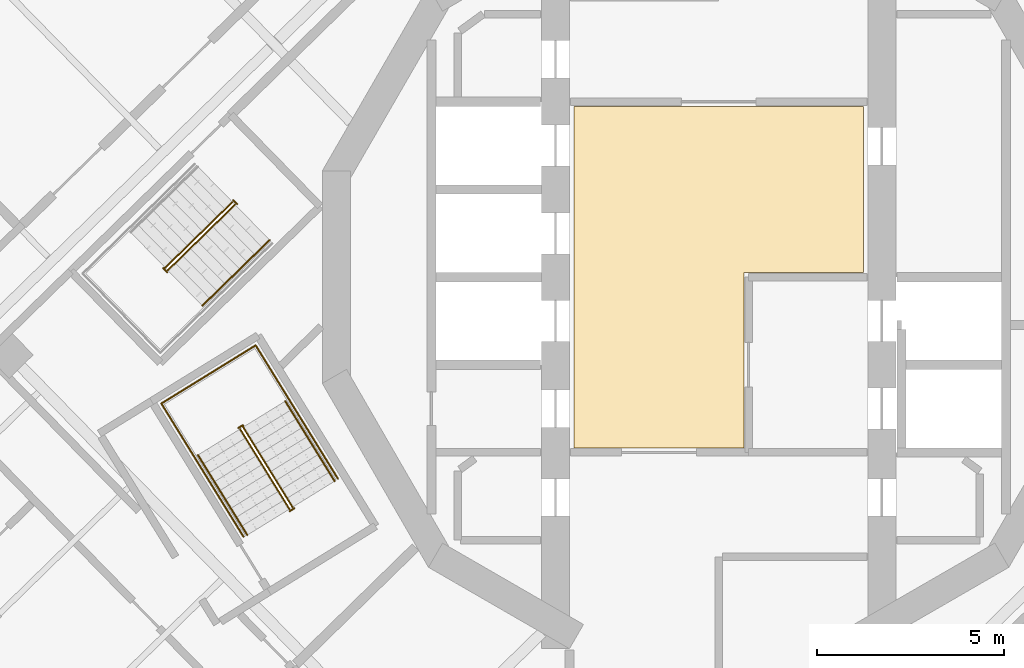
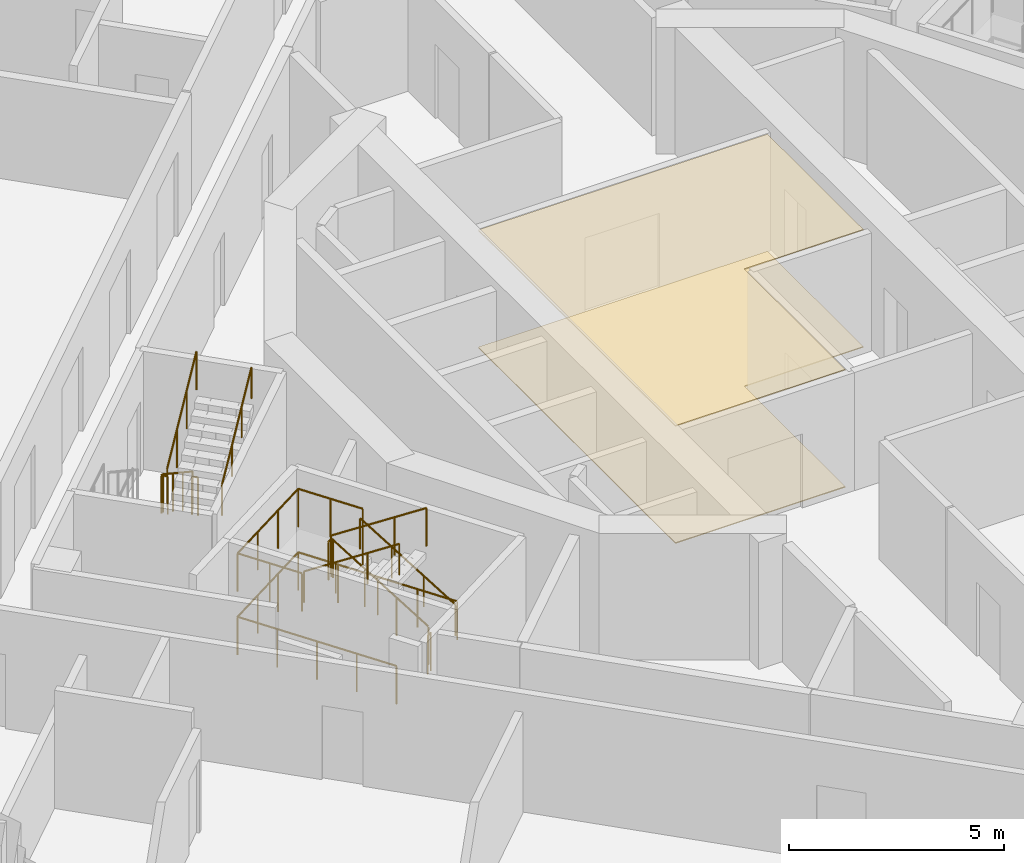
# One storey, part 13 of 17: 11 railings, 2 coverings.
"""IFC4 building model written with IfcOpenShell, lengths in metres."""

from ifc_helpers import new_model, si_unit, direction, frame, origin, origin_2d, place, context, subcontext, project, spatial, polyline, circle, outline, extrude, material, layer, layer_set, type_object, element, save


model = new_model("IFC4")

# Units and contexts
model_context = context("Model", 3, precision=1e-05, world=origin(), true_north=direction((0.0, 1.0)))
body_context = subcontext(model_context, "Body", "Model", "MODEL_VIEW")
ifc_project = project(units=[si_unit("LENGTHUNIT", "METRE"), si_unit("AREAUNIT", "SQUARE_METRE"), si_unit("VOLUMEUNIT", "CUBIC_METRE"), si_unit("PLANEANGLEUNIT", "RADIAN"), si_unit("MASSUNIT", "GRAM", prefix="KILO")], contexts=[model_context])

# Site, building, storey
site_placement = place(None, origin())
site = spatial("IfcSite", under=ifc_project, at=site_placement, CompositionType="ELEMENT")
building_placement = place(site_placement, origin())
building = spatial("IfcBuilding", under=site, at=building_placement, Name="Cantera Rosa Tower", CompositionType="ELEMENT")
storey_placement = place(building_placement, frame((0.0, 0.0, 227.0)))
storey = spatial("IfcBuildingStorey", under=building, at=storey_placement, Name="L49", CompositionType="ELEMENT", Elevation=227.0)

# Railings
ifc_material_1 = material(Name="Steel S355J2 (EN 10025-2)", Category="steel")
railing_type_1 = type_object("IfcRailingType", Name="STAIR GUARD 1100", PredefinedType="GUARDRAIL", material=ifc_material_1)
railing_1_placement = place(storey_placement, frame((-13.032958984375, 2.013427734375, 0.179931640625)))
element("IfcRailing", 1, at=railing_1_placement, inside=storey, type_object=railing_type_1, Name="L49 ST-43 stair guard 1", PredefinedType="GUARDRAIL", context=body_context, shape_type="SweptSolid", body=[
    extrude(circle(Radius=0.02392578125, at=origin_2d()), frame((0.0, 0.0, 1.076171875), z_axis=(-0.601672219931, -0.587818193466, 0.54079599776), x_axis=(0.698823692472, -0.715293958342, 0.0)), (0.0, 0.0, 1.0), 2.995849609375),
    extrude(circle(Radius=0.02392578125, at=origin_2d()), frame((-1.802490234375, -1.760986328125, 2.6962890625), z_axis=(-0.956987977523, -0.290127576896, 0.0), x_axis=(0.290127576896, -0.956987977523, 0.0)), (0.0, 0.0, 1.0), 0.056396484375),
    extrude(circle(Radius=0.02392578125, at=origin_2d()), frame((-1.8564453125, -1.77734375, 2.6962890625), z_axis=(0.698932947801, -0.715187202401, 0.0), x_axis=(0.715187202401, 0.698932947801, 0.0)), (0.0, 0.0, 1.0), 0.150146484375),
    extrude(circle(Radius=0.02099609375, at=origin_2d()), origin(), (0.0, 0.0, 1.0), 1.052001953125),
    extrude(circle(Radius=0.02099609375, at=origin_2d()), frame((-0.600830078125, -0.5869140625, 0.5400390625)), (0.0, 0.0, 1.0), 1.052001953125),
    extrude(circle(Radius=0.02099609375, at=origin_2d()), frame((-1.20166015625, -1.174072265625, 1.080078125)), (0.0, 0.0, 1.0), 1.052001953125),
    extrude(circle(Radius=0.02099609375, at=origin_2d()), frame((-1.802490234375, -1.760986328125, 1.6201171875)), (0.0, 0.0, 1.0), 1.052001953125),
    extrude(circle(Radius=0.02099609375, at=origin_2d()), frame((-1.8564453125, -1.77734375, 1.6201171875)), (0.0, 0.0, 1.0), 1.052001953125),
    extrude(circle(Radius=0.02099609375, at=origin_2d()), frame((-1.75146484375, -1.884765625, 1.6201171875)), (0.0, 0.0, 1.0), 1.052001953125),
])
railing_2_placement = place(storey_placement, frame((-14.766845703125, 0.182373046875, 1.97998046875)))
element("IfcRailing", 2, at=railing_2_placement, inside=storey, type_object=railing_type_1, Name="L49 ST-43 stair guard 2", PredefinedType="GUARDRAIL", context=body_context, shape_type="SweptSolid", body=[
    extrude(circle(Radius=0.02392578125, at=origin_2d()), frame((0.0, 0.0, 1.076171875), z_axis=(0.601672219931, 0.587818193466, 0.54079599776), x_axis=(-0.698823692472, 0.715293958342, 0.0)), (0.0, 0.0, 1.0), 2.995849609375),
    extrude(circle(Radius=0.02099609375, at=origin_2d()), origin(), (0.0, 0.0, 1.0), 1.052001953125),
    extrude(circle(Radius=0.02099609375, at=origin_2d()), frame((0.600830078125, 0.5869140625, 0.5400390625)), (0.0, 0.0, 1.0), 1.052001953125),
    extrude(circle(Radius=0.02099609375, at=origin_2d()), frame((1.20166015625, 1.174072265625, 1.080078125)), (0.0, 0.0, 1.0), 1.052001953125),
    extrude(circle(Radius=0.02099609375, at=origin_2d()), frame((1.802490234375, 1.760986328125, 1.6201171875)), (0.0, 0.0, 1.0), 1.052001953125),
])
railing_3_placement = place(storey_placement, frame((-13.01513671875, 2.06689453125, 0.0)))
element("IfcRailing", 3, at=railing_3_placement, inside=storey, type_object=railing_type_1, Name="L49 ST-43 stair guard 3", PredefinedType="GUARDRAIL", context=body_context, shape_type="SweptSolid", body=[
    extrude(circle(Radius=0.02392578125, at=origin_2d()), frame((0.0, 0.0, 1.076171875), z_axis=(0.698914008722, -0.715205710557, 0.0), x_axis=(0.715205710557, 0.698914008722, 0.0)), (0.0, 0.0, 1.0), 0.14990234375),
    extrude(circle(Radius=0.02099609375, at=origin_2d()), origin(), (0.0, 0.0, 1.0), 1.052001953125),
    extrude(circle(Radius=0.02099609375, at=origin_2d()), frame((0.104736328125, -0.107177734375, 0.0)), (0.0, 0.0, 1.0), 1.052001953125),
])
railing_4_placement = place(storey_placement, frame((-11.42333984375, -6.165771484375, 0.179931640625)))
element("IfcRailing", 4, at=railing_4_placement, inside=storey, type_object=railing_type_1, Name="L49 ST-44 stair guard 1", PredefinedType="GUARDRAIL", context=body_context, shape_type="SweptSolid", body=[
    extrude(circle(Radius=0.02392578125, at=origin_2d()), frame((0.0, 0.0, 1.076171875), z_axis=(-0.441609067481, 0.715913574058, 0.540785711718), x_axis=(-0.851102330005, -0.524999832248, 0.0)), (0.0, 0.0, 1.0), 2.995849609375),
    extrude(circle(Radius=0.02392578125, at=origin_2d()), frame((-1.322998046875, 2.144775390625, 2.6962890625), z_axis=(-0.073711968402, 0.997279572494, 0.0), x_axis=(-0.997279572494, -0.073711968402, 0.0)), (0.0, 0.0, 1.0), 0.056396484375),
    extrude(circle(Radius=0.02392578125, at=origin_2d()), frame((-1.3271484375, 2.200927734375, 2.6962890625), z_axis=(-0.851546489876, -0.524279100842, 0.0), x_axis=(0.524279100842, -0.851546489876, 0.0)), (0.0, 0.0, 1.0), 0.14990234375),
    extrude(circle(Radius=0.02099609375, at=origin_2d()), origin(), (0.0, 0.0, 1.0), 1.052001953125),
    extrude(circle(Radius=0.02099609375, at=origin_2d()), frame((-0.44091796875, 0.71484375, 0.5400390625)), (0.0, 0.0, 1.0), 1.052001953125),
    extrude(circle(Radius=0.02099609375, at=origin_2d()), frame((-0.882080078125, 1.429931640625, 1.080078125)), (0.0, 0.0, 1.0), 1.052001953125),
    extrude(circle(Radius=0.02099609375, at=origin_2d()), frame((-1.322998046875, 2.144775390625, 1.6201171875)), (0.0, 0.0, 1.0), 1.052001953125),
    extrude(circle(Radius=0.02099609375, at=origin_2d()), frame((-1.3271484375, 2.200927734375, 1.6201171875)), (0.0, 0.0, 1.0), 1.052001953125),
    extrude(circle(Radius=0.02099609375, at=origin_2d()), frame((-1.454833984375, 2.122314453125, 1.6201171875)), (0.0, 0.0, 1.0), 1.052001953125),
])
railing_5_placement = place(storey_placement, frame((-12.82958984375, -4.072509765625, 1.97998046875)))
element("IfcRailing", 5, at=railing_5_placement, inside=storey, type_object=railing_type_1, Name="L49 ST-44 stair guard 2", PredefinedType="GUARDRAIL", context=body_context, shape_type="SweptSolid", body=[
    extrude(circle(Radius=0.02392578125, at=origin_2d()), frame((0.0, 0.0, 1.076171875), z_axis=(0.44154346381, -0.715939337315, 0.540805172729), x_axis=(0.851145618652, 0.524929648476, 0.0)), (0.0, 0.0, 1.0), 2.995849609375),
    extrude(circle(Radius=0.02099609375, at=origin_2d()), origin(), (0.0, 0.0, 1.0), 1.052001953125),
    extrude(circle(Radius=0.02099609375, at=origin_2d()), frame((0.44091796875, -0.71484375, 0.5400390625)), (0.0, 0.0, 1.0), 1.052001953125),
    extrude(circle(Radius=0.02099609375, at=origin_2d()), frame((0.8818359375, -1.429931640625, 1.080078125)), (0.0, 0.0, 1.0), 1.052001953125),
    extrude(circle(Radius=0.02099609375, at=origin_2d()), frame((1.32275390625, -2.144775390625, 1.6201171875)), (0.0, 0.0, 1.0), 1.052001953125),
])
railing_6_placement = place(storey_placement, frame((-11.375, -6.19482421875, 0.0)))
element("IfcRailing", 6, at=railing_6_placement, inside=storey, type_object=railing_type_1, Name="L49 ST-44 stair guard 3", PredefinedType="GUARDRAIL", context=body_context, shape_type="SweptSolid", body=[
    extrude(circle(Radius=0.02392578125, at=origin_2d()), frame((0.0, 0.0, 1.076171875), z_axis=(-0.851546489876, -0.524279100842, 0.0), x_axis=(0.524279100842, -0.851546489876, 0.0)), (0.0, 0.0, 1.0), 0.14990234375),
    extrude(circle(Radius=0.02099609375, at=origin_2d()), origin(), (0.0, 0.0, 1.0), 1.052001953125),
    extrude(circle(Radius=0.02099609375, at=origin_2d()), frame((-0.127685546875, -0.07861328125, 0.0)), (0.0, 0.0, 1.0), 1.052001953125),
])
railing_7_placement = place(storey_placement, frame((-10.20751953125, -5.40185546875, 0.0)))
element("IfcRailing", 7, at=railing_7_placement, inside=storey, type_object=railing_type_1, Name="L49 ST-44 stair guard 4", PredefinedType="GUARDRAIL", context=body_context, shape_type="SweptSolid", body=[
    extrude(circle(Radius=0.02392578125, at=origin_2d()), frame((0.0, 0.0, 1.076171875), z_axis=(-0.524976478809, 0.851116735059, 0.0), x_axis=(-0.851116735059, -0.524976478809, 0.0)), (0.0, 0.0, 1.0), 4.197998046875),
    extrude(circle(Radius=0.02392578125, at=origin_2d()), frame((-2.203857421875, 3.572998046875, 1.076171875), z_axis=(-0.851132917336, -0.524950242429, 0.0), x_axis=(0.524950242429, -0.851132917336, 0.0)), (0.0, 0.0, 1.0), 2.969970703125),
    extrude(circle(Radius=0.02392578125, at=origin_2d()), frame((-4.731689453125, 2.013916015625, 1.076171875), z_axis=(0.524976478809, -0.851116735059, 0.0), x_axis=(0.851116735059, 0.524976478809, 0.0)), (0.0, 0.0, 1.0), 4.197998046875),
    extrude(circle(Radius=0.02099609375, at=origin_2d()), origin(), (0.0, 0.0, 1.0), 1.052001953125),
    extrude(circle(Radius=0.02099609375, at=origin_2d()), frame((-0.551025390625, 0.893310546875, 0.0)), (0.0, 0.0, 1.0), 1.052001953125),
    extrude(circle(Radius=0.02099609375, at=origin_2d()), frame((-1.10205078125, 1.78662109375, 0.0)), (0.0, 0.0, 1.0), 1.052001953125),
    extrude(circle(Radius=0.02099609375, at=origin_2d()), frame((-1.65283203125, 2.6796875, 0.0)), (0.0, 0.0, 1.0), 1.052001953125),
    extrude(circle(Radius=0.02099609375, at=origin_2d()), frame((-2.203857421875, 3.572998046875, 0.0)), (0.0, 0.0, 1.0), 1.052001953125),
    extrude(circle(Radius=0.02099609375, at=origin_2d()), frame((-3.04638671875, 3.05322265625, 0.0)), (0.0, 0.0, 1.0), 1.052001953125),
    extrude(circle(Radius=0.02099609375, at=origin_2d()), frame((-3.88916015625, 2.53369140625, 0.0)), (0.0, 0.0, 1.0), 1.052001953125),
    extrude(circle(Radius=0.02099609375, at=origin_2d()), frame((-4.731689453125, 2.013916015625, 0.0)), (0.0, 0.0, 1.0), 1.052001953125),
    extrude(circle(Radius=0.02099609375, at=origin_2d()), frame((-4.1806640625, 1.12060546875, 0.0)), (0.0, 0.0, 1.0), 1.052001953125),
    extrude(circle(Radius=0.02099609375, at=origin_2d()), frame((-3.6298828125, 0.2275390625, 0.0)), (0.0, 0.0, 1.0), 1.052001953125),
    extrude(circle(Radius=0.02099609375, at=origin_2d()), frame((-3.078857421875, -0.665771484375, 0.0)), (0.0, 0.0, 1.0), 1.052001953125),
    extrude(circle(Radius=0.02099609375, at=origin_2d()), frame((-2.52783203125, -1.55908203125, 0.0)), (0.0, 0.0, 1.0), 1.052001953125),
])
railing_8_placement = place(storey_placement, frame((-11.517822265625, -3.27734375, 1.800048828125)))
element("IfcRailing", 8, at=railing_8_placement, inside=storey, type_object=railing_type_1, Name="L49 ST-44 stair guard 5", PredefinedType="GUARDRAIL", context=body_context, shape_type="SweptSolid", body=[
    extrude(circle(Radius=0.02392578125, at=origin_2d()), frame((0.0, 0.0, 1.076171875), z_axis=(-0.525025534833, 0.851086474909, 0.0), x_axis=(-0.851086474909, -0.525025534833, 0.0)), (0.0, 0.0, 1.0), 1.701904296875),
    extrude(circle(Radius=0.02392578125, at=origin_2d()), frame((-0.8935546875, 1.448486328125, 1.076171875), z_axis=(-0.851132917336, -0.524950242429, 0.0), x_axis=(0.524950242429, -0.851132917336, 0.0)), (0.0, 0.0, 1.0), 2.969970703125),
    extrude(circle(Radius=0.02392578125, at=origin_2d()), frame((-3.42138671875, -0.110595703125, 1.076171875), z_axis=(0.524961441845, -0.851126009811, 0.0), x_axis=(0.851126009811, 0.524961441845, 0.0)), (0.0, 0.0, 1.0), 1.7021484375),
    extrude(circle(Radius=0.02099609375, at=origin_2d()), origin(), (0.0, 0.0, 1.0), 1.052001953125),
    extrude(circle(Radius=0.02099609375, at=origin_2d()), frame((-0.44677734375, 0.72412109375, 0.0)), (0.0, 0.0, 1.0), 1.052001953125),
    extrude(circle(Radius=0.02099609375, at=origin_2d()), frame((-0.8935546875, 1.448486328125, 0.0)), (0.0, 0.0, 1.0), 1.052001953125),
    extrude(circle(Radius=0.02099609375, at=origin_2d()), frame((-1.736083984375, 0.9287109375, 0.0)), (0.0, 0.0, 1.0), 1.052001953125),
    extrude(circle(Radius=0.02099609375, at=origin_2d()), frame((-2.578857421875, 0.4091796875, 0.0)), (0.0, 0.0, 1.0), 1.052001953125),
    extrude(circle(Radius=0.02099609375, at=origin_2d()), frame((-3.42138671875, -0.110595703125, 0.0)), (0.0, 0.0, 1.0), 1.052001953125),
    extrude(circle(Radius=0.02099609375, at=origin_2d()), frame((-2.974609375, -0.8349609375, 0.0)), (0.0, 0.0, 1.0), 1.052001953125),
    extrude(circle(Radius=0.02099609375, at=origin_2d()), frame((-2.52783203125, -1.559326171875, 0.0)), (0.0, 0.0, 1.0), 1.052001953125),
])
ifc_material_2 = material(Name="Steel S355J2 (EN 10025-2)", Category="steel")
railing_type_2 = type_object("IfcRailingType", Name="STAIR HANDRAIL 900", PredefinedType="HANDRAIL", material=ifc_material_2)
railing_9_placement = place(storey_placement, frame((-13.84033203125, -0.76611328125, 1.97998046875)))
element("IfcRailing", 9, at=railing_9_placement, inside=storey, type_object=railing_type_2, Name="L49 ST-43 stair handrail 2", PredefinedType="HANDRAIL", context=body_context, shape_type="SweptSolid", body=[
    extrude(circle(Radius=0.02392578125, at=origin_2d()), frame((0.0, 0.0, 0.8759765625), z_axis=(0.601724208683, 0.587789371239, 0.540769481151), x_axis=(-0.698775265409, 0.715341267126, 0.0)), (0.0, 0.0, 1.0), 2.995849609375),
    extrude(circle(Radius=0.02099609375, at=origin_2d()), origin(), (0.0, 0.0, 1.0), 0.851806640625),
    extrude(circle(Radius=0.02099609375, at=origin_2d()), frame((0.600830078125, 0.5869140625, 0.5400390625)), (0.0, 0.0, 1.0), 0.851806640625),
    extrude(circle(Radius=0.02099609375, at=origin_2d()), frame((1.201904296875, 1.174072265625, 1.080078125)), (0.0, 0.0, 1.0), 0.851806640625),
    extrude(circle(Radius=0.02099609375, at=origin_2d()), frame((1.802734375, 1.760986328125, 1.6201171875)), (0.0, 0.0, 1.0), 0.851806640625),
])
railing_10_placement = place(storey_placement, frame((-10.294677734375, -5.4697265625, 0.179931640625)))
element("IfcRailing", 10, at=railing_10_placement, inside=storey, type_object=railing_type_2, Name="L49 ST-44 stair handrail 1", PredefinedType="HANDRAIL", context=body_context, shape_type="SweptSolid", body=[
    extrude(circle(Radius=0.02392578125, at=origin_2d()), frame((0.0, 0.0, 0.8759765625), z_axis=(-0.441609067481, 0.715913574058, 0.540785711718), x_axis=(-0.851102330005, -0.524999832248, 0.0)), (0.0, 0.0, 1.0), 2.995849609375),
    extrude(circle(Radius=0.02099609375, at=origin_2d()), origin(), (0.0, 0.0, 1.0), 0.851806640625),
    extrude(circle(Radius=0.02099609375, at=origin_2d()), frame((-0.44091796875, 0.71484375, 0.5400390625)), (0.0, 0.0, 1.0), 0.851806640625),
    extrude(circle(Radius=0.02099609375, at=origin_2d()), frame((-0.882080078125, 1.429931640625, 1.080078125)), (0.0, 0.0, 1.0), 0.851806640625),
    extrude(circle(Radius=0.02099609375, at=origin_2d()), frame((-1.322998046875, 2.144775390625, 1.6201171875)), (0.0, 0.0, 1.0), 0.851806640625),
])
railing_11_placement = place(storey_placement, frame((-13.958251953125, -4.7685546875, 1.97998046875)))
element("IfcRailing", 11, at=railing_11_placement, inside=storey, type_object=railing_type_2, Name="L49 ST-44 stair handrail 2", PredefinedType="HANDRAIL", context=body_context, shape_type="SweptSolid", body=[
    extrude(circle(Radius=0.02392578125, at=origin_2d()), frame((0.0, 0.0, 0.8759765625), z_axis=(0.441609067481, -0.715913574058, 0.540785711718), x_axis=(0.851102330005, 0.524999832248, 0.0)), (0.0, 0.0, 1.0), 2.995849609375),
    extrude(circle(Radius=0.02099609375, at=origin_2d()), origin(), (0.0, 0.0, 1.0), 0.851806640625),
    extrude(circle(Radius=0.02099609375, at=origin_2d()), frame((0.44091796875, -0.71484375, 0.5400390625)), (0.0, 0.0, 1.0), 0.851806640625),
    extrude(circle(Radius=0.02099609375, at=origin_2d()), frame((0.882080078125, -1.429931640625, 1.080078125)), (0.0, 0.0, 1.0), 0.851806640625),
    extrude(circle(Radius=0.02099609375, at=origin_2d()), frame((1.322998046875, -2.144775390625, 1.6201171875)), (0.0, 0.0, 1.0), 0.851806640625),
])

# Coverings
ifc_material_3 = material(Name="Limestone paving", Category="masonry")
ifc_layer_1 = layer(ifc_material_3, 0.02490234375)
ifc_layer_set_1 = layer_set([ifc_layer_1], Name="STONE FLOOR FINISH 25")
covering_type_1 = type_object("IfcCoveringType", Name="STONE FLOOR FINISH 25", PredefinedType="FLOORING", material=ifc_layer_set_1)
covering_1_placement = place(storey_placement, origin())
element("IfcCovering", 12, at=covering_1_placement, inside=storey, type_object=covering_type_1, Name="STONE FLOOR FINISH L49", PredefinedType="FLOORING", context=body_context, shape_type="SweptSolid", body=[
    extrude(outline(polyline([(3.8798828125, 4.580078125), (3.8798828125, 0.1201171875), (0.679931640625, 0.1201171875), (0.679931640625, -4.580078125), (-3.8798828125, -4.580078125), (-3.8798828125, 4.580078125), (3.8798828125, 4.580078125)])), origin(), (0.0, 0.0, 1.0), 0.02490234375),
])
ifc_material_4 = material(Name="Gypsum ceiling tile")
ifc_layer_2 = layer(ifc_material_4, 0.030029296875)
ifc_layer_set_2 = layer_set([ifc_layer_2], Name="SUSPENDED CEILING 30")
covering_type_2 = type_object("IfcCoveringType", Name="SUSPENDED CEILING 30", PredefinedType="CEILING", material=ifc_layer_set_2)
covering_2_placement = place(storey_placement, frame((0.0, 0.0, 3.320068359375)))
element("IfcCovering", 13, at=covering_2_placement, inside=storey, type_object=covering_type_2, Name="SUSPENDED CEILING L49", PredefinedType="CEILING", context=body_context, shape_type="SweptSolid", body=[
    extrude(outline(polyline([(3.8798828125, 4.580078125), (3.8798828125, 0.1201171875), (0.679931640625, 0.1201171875), (0.679931640625, -4.580078125), (-3.8798828125, -4.580078125), (-3.8798828125, 4.580078125), (3.8798828125, 4.580078125)])), origin(), (0.0, 0.0, 1.0), 0.030029296875),
])

save(model, "model.ifc")
